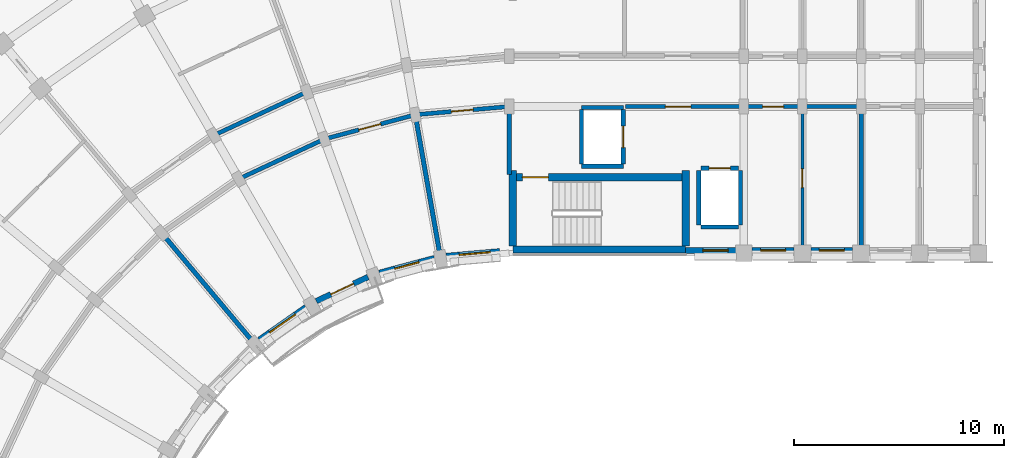
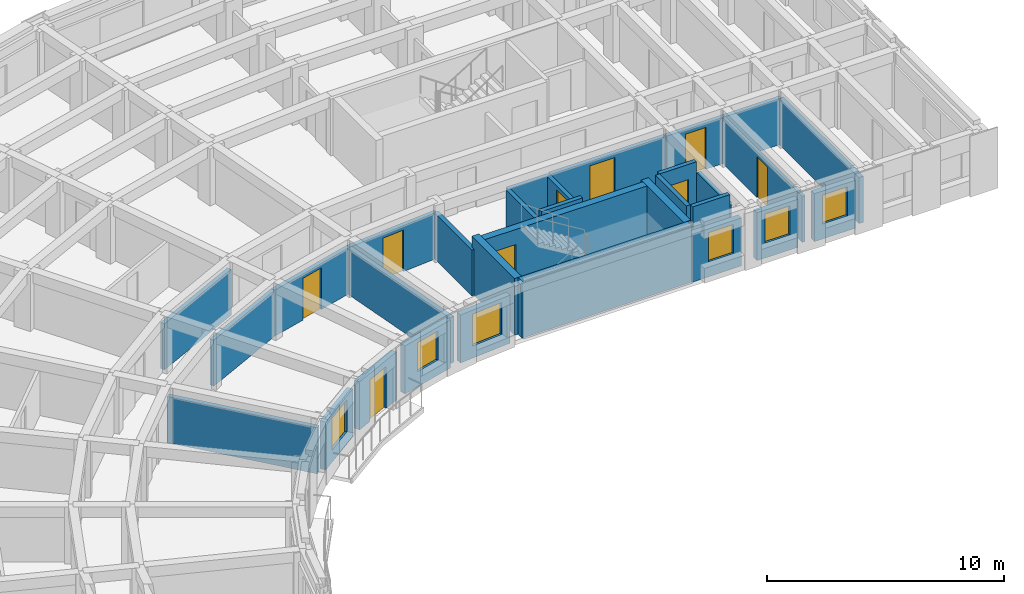
# One storey, part 25 of 54: 31 walls, 9 doors, 6 windows, 15 openings.
"""IFC4 building model written with IfcOpenShell, lengths in metres."""

from ifc_helpers import new_model, si_unit, direction, frame, frame_2d, origin, place, context, subcontext, project, spatial, rectangle, extrude, material, layer, layer_set, type_object, element, fill, save


model = new_model("IFC4")

# Units and contexts
model_context = context("Model", 3, precision=1e-05, world=origin(), true_north=direction((0.0, 1.0)))
body_context = subcontext(model_context, "Body", "Model", "MODEL_VIEW")
ifc_project = project(units=[si_unit("LENGTHUNIT", "METRE"), si_unit("AREAUNIT", "SQUARE_METRE"), si_unit("VOLUMEUNIT", "CUBIC_METRE"), si_unit("PLANEANGLEUNIT", "RADIAN"), si_unit("MASSUNIT", "GRAM", prefix="KILO")], contexts=[model_context])

# Site, building, storey
site_placement = place(None, origin())
site = spatial("IfcSite", under=ifc_project, at=site_placement, CompositionType="ELEMENT")
building_placement = place(site_placement, origin())
building = spatial("IfcBuilding", under=site, at=building_placement, Name="Kiranvali Square Residences", CompositionType="ELEMENT")
storey_placement = place(building_placement, frame((0.0, 0.0, 15.0)))
storey = spatial("IfcBuildingStorey", under=building, at=storey_placement, Name="L04", CompositionType="ELEMENT", Elevation=15.0)

# Wall, opening, door
ifc_material_1 = material(Name="Autoclaved aerated concrete blockwork masonry", Category="masonry")
ifc_layer_1 = layer(ifc_material_1, 0.199951171875)
ifc_layer_set_1 = layer_set([ifc_layer_1], Name="Autoclaved aerated concrete blockwork masonry")
wall_type_1 = type_object("IfcWallType", Name="WL-COR-200", PredefinedType="STANDARD", material=ifc_layer_set_1)
wall_1_placement = place(storey_placement, frame((53.75, 113.60009765625, 0.0), z_axis=(0.0, 0.0, 1.0), x_axis=(1.0, 0.0, 0.0)))
wall_1 = element("IfcWall", 1, at=wall_1_placement, inside=storey, type_object=wall_type_1, Name="L04 architectural wall WL-L04-A-LL-COR", PredefinedType="STANDARD", context=body_context, shape_type="SweptSolid", body=[
    extrude(rectangle(XDim=5.60009765625, YDim=0.199951171875, at=frame_2d((2.800048828125, 0.0))), origin(), (0.0, 0.0, 1.0), 2.3720703125),
])
opening_1_placement = place(wall_1_placement, frame((1.909912109375, 0.0, 0.0)))
opening_1 = element("IfcOpeningElement", 2, at=opening_1_placement, cuts=wall_1, Name="Opening FD-COR-60", PredefinedType="OPENING", context=body_context, shape_type="SweptSolid", body=[
    extrude(rectangle(XDim=1.219970703125, YDim=2.14990234375, at=frame_2d((0.60986328125, 1.074951171875))), frame((0.0, 0.10986328125, 0.0), z_axis=(0.0, -1.0, 0.0), x_axis=(1.0, 0.0, 0.0)), (0.0, 0.0, 1.0), 0.219970703125),
])
ifc_material_2 = material(Name="Fire-rated acoustic hardwood and mineral-core door assembly", Category="wood")
door_type_1 = type_object("IfcDoorType", Name="DR-FD60-1200", OperationType="NOTDEFINED", PredefinedType="DOOR", material=ifc_material_2)
door_1_placement = place(opening_1_placement, origin())
door_1 = element("IfcDoor", 3, at=door_1_placement, inside=storey, type_object=door_type_1, Name="L04 door DR-L04-0283 (DR-FD60-1200)", OperationType="SINGLE_SWING_LEFT", OverallHeight=2.14990234375, OverallWidth=1.219970703125, PredefinedType="DOOR", context=body_context, shape_type="SweptSolid", body=[
    extrude(rectangle(XDim=1.219970703125, YDim=2.14990234375, at=frame_2d((0.60986328125, 1.074951171875))), frame((0.0, 0.02490234375, 0.0), z_axis=(0.0, -1.0, 0.0), x_axis=(1.0, 0.0, 0.0)), (0.0, 0.0, 1.0), 0.050048828125),
])
fill(opening_1, door_1)

wall_2_placement = place(storey_placement, frame((59.39990234375, 113.60009765625, 0.0), z_axis=(0.0, 0.0, 1.0), x_axis=(1.0, 0.0, 0.0)))
wall_2 = element("IfcWall", 4, at=wall_2_placement, inside=storey, type_object=wall_type_1, Name="L04 architectural wall WL-L04-A-A1CI-0", PredefinedType="STANDARD", context=body_context, shape_type="SweptSolid", body=[
    extrude(rectangle(XDim=2.800048828125, YDim=0.199951171875, at=frame_2d((1.39990234375, 0.0))), origin(), (0.0, 0.0, 1.0), 2.3720703125),
])
opening_2_placement = place(wall_2_placement, frame((0.89990234375, 0.0, 0.0)))
opening_2 = element("IfcOpeningElement", 5, at=opening_2_placement, cuts=wall_2, Name="Opening FD-APT-60", PredefinedType="OPENING", context=body_context, shape_type="SweptSolid", body=[
    extrude(rectangle(XDim=1.0, YDim=2.14990234375, at=frame_2d((0.5, 1.074951171875))), frame((0.0, 0.10986328125, 0.0), z_axis=(0.0, -1.0, 0.0), x_axis=(1.0, 0.0, 0.0)), (0.0, 0.0, 1.0), 0.219970703125),
])
door_type_2 = type_object("IfcDoorType", Name="DR-APT-1000", OperationType="NOTDEFINED", PredefinedType="DOOR", material=ifc_material_2)
door_2_placement = place(opening_2_placement, origin())
door_2 = element("IfcDoor", 6, at=door_2_placement, inside=storey, type_object=door_type_2, Name="L04 door DR-L04-0287 (DR-APT-1000)", OperationType="SINGLE_SWING_LEFT", OverallHeight=2.14990234375, OverallWidth=1.0, PredefinedType="DOOR", context=body_context, shape_type="SweptSolid", body=[
    extrude(rectangle(XDim=1.0, YDim=2.14990234375, at=frame_2d((0.5, 1.074951171875))), frame((0.0, 0.02490234375, 0.0), z_axis=(0.0, -1.0, 0.0), x_axis=(1.0, 0.0, 0.0)), (0.0, 0.0, 1.0), 0.050048828125),
])
fill(opening_2, door_2)

# Wall
wall_3_placement = place(storey_placement, frame((62.199951171875, 113.60009765625, 0.0), z_axis=(0.0, 0.0, 1.0), x_axis=(1.0, 0.0, 0.0)))
element("IfcWall", 7, at=wall_3_placement, inside=storey, type_object=wall_type_1, Name="L04 architectural wall WL-L04-A-A1CI-1", PredefinedType="STANDARD", context=body_context, shape_type="SweptSolid", body=[
    extrude(rectangle(XDim=2.800048828125, YDim=0.199951171875, at=frame_2d((1.39990234375, 0.0))), origin(), (0.0, 0.0, 1.0), 2.3720703125),
])

# Wall, opening, door
wall_4_placement = place(storey_placement, frame((48.199951171875, 113.60009765625, 0.0), z_axis=(0.0, 0.0, 1.0), x_axis=(-0.996191949488, -0.087187153726, 0.0)))
wall_4 = element("IfcWall", 8, at=wall_4_placement, inside=storey, type_object=wall_type_1, Name="L04 architectural wall WL-L04-A-CCI-0", PredefinedType="STANDARD", context=body_context, shape_type="SweptSolid", body=[
    extrude(rectangle(XDim=4.4970703125, YDim=0.199951171875, at=frame_2d((2.24853515625, 0.0))), origin(), (0.0, 0.0, 1.0), 2.3720703125),
])
opening_3_placement = place(wall_4_placement, frame((1.728515625, 0.0, 0.0)))
opening_3 = element("IfcOpeningElement", 9, at=opening_3_placement, cuts=wall_4, Name="Opening FD-APT-60B", PredefinedType="OPENING", context=body_context, shape_type="SweptSolid", body=[
    extrude(rectangle(XDim=1.0400390625, YDim=2.14990234375, at=frame_2d((0.52001953125, 1.074951171875))), frame((0.0, 0.10986328125, 0.0), z_axis=(0.0, -1.0, 0.0), x_axis=(1.0, 0.0, 0.0)), (0.0, 0.0, 1.0), 0.219970703125),
])
door_type_3 = type_object("IfcDoorType", Name="DR-APT-1040", OperationType="NOTDEFINED", PredefinedType="DOOR", material=ifc_material_2)
door_3_placement = place(opening_3_placement, frame((1.0400390625, 0.0, 0.0), z_axis=(0.0, 0.0, 1.0), x_axis=(-1.0, 0.0, 0.0)))
door_3 = element("IfcDoor", 10, at=door_3_placement, inside=storey, type_object=door_type_3, Name="L04 door DR-L04-0316 (DR-APT-1040)", OperationType="SINGLE_SWING_RIGHT", OverallHeight=2.14990234375, OverallWidth=1.0400390625, PredefinedType="DOOR", context=body_context, shape_type="SweptSolid", body=[
    extrude(rectangle(XDim=1.0400390625, YDim=2.14990234375, at=frame_2d((0.52001953125, 1.074951171875))), frame((0.0, 0.02490234375, 0.0), z_axis=(0.0, -1.0, 0.0), x_axis=(1.0, 0.0, 0.0)), (0.0, 0.0, 1.0), 0.050048828125),
])
fill(opening_3, door_3)

wall_5_placement = place(storey_placement, frame((43.719970703125, 113.2080078125, 0.0), z_axis=(0.0, 0.0, 1.0), x_axis=(-0.965934240054, -0.258787642463, 0.0)))
wall_5 = element("IfcWall", 11, at=wall_5_placement, inside=storey, type_object=wall_type_1, Name="L04 architectural wall WL-L04-A-CCI-1", PredefinedType="STANDARD", context=body_context, shape_type="SweptSolid", body=[
    extrude(rectangle(XDim=4.497314453125, YDim=0.199951171875, at=frame_2d((2.24853515625, 0.0))), origin(), (0.0, 0.0, 1.0), 2.3720703125),
])
opening_4_placement = place(wall_5_placement, frame((1.708740234375, 0.0, 0.0)))
opening_4 = element("IfcOpeningElement", 12, at=opening_4_placement, cuts=wall_5, Name="Opening FD-APT-60C", PredefinedType="OPENING", context=body_context, shape_type="SweptSolid", body=[
    extrude(rectangle(XDim=1.080078125, YDim=2.14990234375, at=frame_2d((0.5400390625, 1.074951171875))), frame((0.0, 0.10986328125, 0.0), z_axis=(0.0, -1.0, 0.0), x_axis=(1.0, 0.0, 0.0)), (0.0, 0.0, 1.0), 0.219970703125),
])
door_type_4 = type_object("IfcDoorType", Name="DR-APT-1080", OperationType="NOTDEFINED", PredefinedType="DOOR", material=ifc_material_2)
door_4_placement = place(opening_4_placement, origin())
door_4 = element("IfcDoor", 13, at=door_4_placement, inside=storey, type_object=door_type_4, Name="L04 door DR-L04-0317 (DR-APT-1080)", OperationType="SINGLE_SWING_LEFT", OverallHeight=2.14990234375, OverallWidth=1.080078125, PredefinedType="DOOR", context=body_context, shape_type="SweptSolid", body=[
    extrude(rectangle(XDim=1.080078125, YDim=2.14990234375, at=frame_2d((0.5400390625, 1.074951171875))), frame((0.0, 0.02490234375, 0.0), z_axis=(0.0, -1.0, 0.0), x_axis=(1.0, 0.0, 0.0)), (0.0, 0.0, 1.0), 0.050048828125),
])
fill(opening_4, door_4)

# Walls
wall_6_placement = place(storey_placement, frame((39.3759765625, 112.044189453125, 0.0), z_axis=(0.0, 0.0, 1.0), x_axis=(-0.906307919131, -0.422617978463, 0.0)))
element("IfcWall", 14, at=wall_6_placement, inside=storey, type_object=wall_type_1, Name="L04 architectural wall WL-L04-A-CCI-2", PredefinedType="STANDARD", context=body_context, shape_type="SweptSolid", body=[
    extrude(rectangle(XDim=4.497314453125, YDim=0.199951171875, at=frame_2d((2.24853515625, 0.0))), origin(), (0.0, 0.0, 1.0), 2.3720703125),
])
wall_7_placement = place(storey_placement, frame((38.554931640625, 114.29931640625, 0.0), z_axis=(0.0, 0.0, 1.0), x_axis=(-0.906302381024, -0.422629854778, 0.0)))
element("IfcWall", 15, at=wall_7_placement, inside=storey, type_object=wall_type_1, Name="L04 architectural wall WL-L04-A-CCO-2", PredefinedType="STANDARD", context=body_context, shape_type="SweptSolid", body=[
    extrude(rectangle(XDim=4.915283203125, YDim=0.199951171875, at=frame_2d((2.45751953125, 0.0))), origin(), (0.0, 0.0, 1.0), 2.3720703125),
])
ifc_layer_2 = layer(ifc_material_1, 0.219970703125)
ifc_layer_set_2 = layer_set([ifc_layer_2], Name="Autoclaved aerated concrete blockwork masonry")
wall_type_2 = type_object("IfcWallType", Name="WL-DEM-220", PredefinedType="STANDARD", material=ifc_layer_set_2)
wall_8_placement = place(storey_placement, frame((65.0, 106.800048828125, 0.0), z_axis=(0.0, 0.0, 1.0), x_axis=(0.0, 1.0, 0.0)))
element("IfcWall", 16, at=wall_8_placement, inside=storey, type_object=wall_type_2, Name="L04 architectural wall WL-L04-A-A1TI-2", PredefinedType="STANDARD", context=body_context, shape_type="SweptSolid", body=[
    extrude(rectangle(XDim=6.75, YDim=0.219970703125, at=frame_2d((3.375, 0.0))), origin(), (0.0, 0.0, 1.0), 2.3720703125),
])
wall_9_placement = place(storey_placement, frame((48.199951171875, 110.35009765625, 0.0), z_axis=(0.0, 0.0, 1.0), x_axis=(0.0, 1.0, 0.0)))
element("IfcWall", 17, at=wall_9_placement, inside=storey, type_object=wall_type_2, Name="L04 architectural wall WL-L04-A-RADI-0", PredefinedType="STANDARD", context=body_context, shape_type="SweptSolid", body=[
    extrude(rectangle(XDim=3.199951171875, YDim=0.219970703125, at=frame_2d((1.60009765625, 0.0))), origin(), (0.0, 0.0, 1.0), 2.3720703125),
])
for number, where, z_axis, x_axis, name in (
    (18, (44.900634765625, 106.51123046875, 0.0), (0.0, 0.0, 1.0), (-0.173647089161, 0.984807944945, 0.0), "L04 architectural wall WL-L04-A-RADI-1"),
    (19, (35.987060546875, 102.354736328125, 0.0), (0.0, 0.0, 1.0), (-0.642784846501, 0.766046761698, 0.0), "L04 architectural wall WL-L04-A-RADI-4"),
):
    element("IfcWall", number, at=place(storey_placement, frame(where, z_axis=z_axis, x_axis=x_axis)), inside=storey, type_object=wall_type_2, Name=name, PredefinedType="STANDARD", context=body_context, shape_type="SweptSolid", body=[
        extrude(rectangle(XDim=6.75, YDim=0.219970703125, at=frame_2d((3.375, 0.0))), origin(), (0.0, 0.0, 1.0), 2.3720703125),
    ])

# Wall, opening, window
ifc_material_3 = material(Name="Breathable lime-rendered clay brick masonry", Category="masonry")
ifc_layer_3 = layer(ifc_material_3, 0.27490234375)
ifc_layer_set_3 = layer_set([ifc_layer_3], Name="Breathable lime-rendered clay brick masonry")
wall_type_3 = type_object("IfcWallType", Name="WL-EXT-275", PredefinedType="STANDARD", material=ifc_layer_set_3)
wall_10_placement = place(storey_placement, frame((47.750732421875, 106.686279296875, 0.0), z_axis=(0.0, 0.0, 1.0), x_axis=(-0.996194235595, -0.08716102895, 0.0)))
wall_10 = element("IfcWall", 20, at=wall_10_placement, inside=storey, type_object=wall_type_3, Name="L04 exterior wall A-L04-GDN-00", PredefinedType="STANDARD", context=body_context, shape_type="SweptSolid", body=[
    extrude(rectangle(XDim=2.557373046875, YDim=0.27490234375, at=frame_2d((1.27880859375, 0.0))), origin(), (0.0, 0.0, 1.0), 2.471923828125),
])
opening_5_placement = place(wall_10_placement, frame((0.448486328125, 0.0, 0.6220703125)))
opening_5 = element("IfcOpeningElement", 21, at=opening_5_placement, cuts=wall_10, Name="Opening W-05", PredefinedType="OPENING", context=body_context, shape_type="SweptSolid", body=[
    extrude(rectangle(XDim=1.5, YDim=1.64990234375, at=frame_2d((0.75, 0.824951171875))), frame((0.0, 0.1474609375, 0.0), z_axis=(0.0, -1.0, 0.0), x_axis=(1.0, 0.0, 0.0)), (0.0, 0.0, 1.0), 0.294921875),
])
ifc_material_4 = material(Name="Solar-control low-e double glazing", Category="glass")
window_type_1 = type_object("IfcWindowType", Name="WIN-RES-1500x1650", PartitioningType="DOUBLE_PANEL_VERTICAL", PredefinedType="WINDOW", material=ifc_material_4)
window_1_placement = place(opening_5_placement, origin())
window_1 = element("IfcWindow", 22, at=window_1_placement, inside=storey, type_object=window_type_1, Name="L04 recessed window A-L04-GDN-00", OverallHeight=1.64990234375, OverallWidth=1.5, PartitioningType="DOUBLE_PANEL_VERTICAL", PredefinedType="WINDOW", context=body_context, shape_type="SweptSolid", body=[
    extrude(rectangle(XDim=1.5, YDim=1.64990234375, at=frame_2d((0.75, 0.824951171875))), frame((0.0, 0.030029296875, 0.0), z_axis=(0.0, -1.0, 0.0), x_axis=(1.0, 0.0, 0.0)), (0.0, 0.0, 1.0), 0.06005859375),
])
fill(opening_5, window_1)

wall_11_placement = place(storey_placement, frame((44.6328125, 106.36279296875, 0.0), z_axis=(0.0, 0.0, 1.0), x_axis=(-0.965925595341, -0.258819907011, 0.0)))
wall_11 = element("IfcWall", 23, at=wall_11_placement, inside=storey, type_object=wall_type_3, Name="L04 exterior wall A-L04-GDN-01", PredefinedType="STANDARD", context=body_context, shape_type="SweptSolid", body=[
    extrude(rectangle(XDim=2.717529296875, YDim=0.27490234375, at=frame_2d((1.35888671875, 0.0))), origin(), (0.0, 0.0, 1.0), 2.471923828125),
])
opening_6_placement = place(wall_11_placement, frame((0.7587890625, 0.0, 0.77197265625)))
opening_6 = element("IfcOpeningElement", 24, at=opening_6_placement, cuts=wall_11, Name="Opening W-06", PredefinedType="OPENING", context=body_context, shape_type="SweptSolid", body=[
    extrude(rectangle(XDim=1.199951171875, YDim=1.5, at=frame_2d((0.60009765625, 0.75))), frame((0.0, 0.1474609375, 0.0), z_axis=(0.0, -1.0, 0.0), x_axis=(1.0, 0.0, 0.0)), (0.0, 0.0, 1.0), 0.294921875),
])
window_type_2 = type_object("IfcWindowType", Name="WIN-RES-1200x1500", PartitioningType="SINGLE_PANEL", PredefinedType="WINDOW", material=ifc_material_4)
window_2_placement = place(opening_6_placement, origin())
window_2 = element("IfcWindow", 25, at=window_2_placement, inside=storey, type_object=window_type_2, Name="L04 recessed window A-L04-GDN-01", OverallHeight=1.5, OverallWidth=1.199951171875, PartitioningType="SINGLE_PANEL", PredefinedType="WINDOW", context=body_context, shape_type="SweptSolid", body=[
    extrude(rectangle(XDim=1.199951171875, YDim=1.5, at=frame_2d((0.60009765625, 0.75))), frame((0.0, 0.030029296875, 0.0), z_axis=(0.0, -1.0, 0.0), x_axis=(1.0, 0.0, 0.0)), (0.0, 0.0, 1.0), 0.06005859375),
])
fill(opening_6, window_2)

# Wall, opening, door
wall_12_placement = place(storey_placement, frame((41.463623046875, 105.461181640625, 0.0), z_axis=(0.0, 0.0, 1.0), x_axis=(-0.906311629168, -0.422610022166, 0.0)))
wall_12 = element("IfcWall", 26, at=wall_12_placement, inside=storey, type_object=wall_type_3, Name="L04 exterior wall A-L04-GDN-02", PredefinedType="STANDARD", context=body_context, shape_type="SweptSolid", body=[
    extrude(rectangle(XDim=2.717529296875, YDim=0.27490234375, at=frame_2d((1.35888671875, 0.0))), origin(), (0.0, 0.0, 1.0), 2.471923828125),
])
opening_7_placement = place(wall_12_placement, frame((0.7587890625, 0.0, 0.0)))
opening_7 = element("IfcOpeningElement", 27, at=opening_7_placement, cuts=wall_12, Name="Opening ED-BAL-1", PredefinedType="OPENING", context=body_context, shape_type="SweptSolid", body=[
    extrude(rectangle(XDim=1.199951171875, YDim=2.14990234375, at=frame_2d((0.60009765625, 1.074951171875))), frame((0.0, 0.1474609375, 0.0), z_axis=(0.0, -1.0, 0.0), x_axis=(1.0, 0.0, 0.0)), (0.0, 0.0, 1.0), 0.294921875),
])
ifc_material_5 = material(Name="Anodised bronze aluminium framing", Category="aluminium")
door_type_5 = type_object("IfcDoorType", Name="DR-BAL-1200", OperationType="NOTDEFINED", PredefinedType="DOOR", material=ifc_material_5)
door_5_placement = place(opening_7_placement, origin())
door_5 = element("IfcDoor", 28, at=door_5_placement, inside=storey, type_object=door_type_5, Name="L04 balcony terrace door", OperationType="SINGLE_SWING_RIGHT", OverallHeight=2.14990234375, OverallWidth=1.199951171875, PredefinedType="DOOR", context=body_context, shape_type="SweptSolid", body=[
    extrude(rectangle(XDim=1.199951171875, YDim=2.14990234375, at=frame_2d((0.60009765625, 1.074951171875))), frame((0.0, 0.02490234375, 0.0), z_axis=(0.0, -1.0, 0.0), x_axis=(1.0, 0.0, 0.0)), (0.0, 0.0, 1.0), 0.050048828125),
])
fill(opening_7, door_5)

# Wall, opening, window
wall_13_placement = place(storey_placement, frame((38.4990234375, 104.023193359375, 0.0), z_axis=(0.0, 0.0, 1.0), x_axis=(-0.81917282593, -0.573546755948, 0.0)))
wall_13 = element("IfcWall", 29, at=wall_13_placement, inside=storey, type_object=wall_type_3, Name="L04 exterior wall A-L04-GDN-03", PredefinedType="STANDARD", context=body_context, shape_type="SweptSolid", body=[
    extrude(rectangle(XDim=2.717529296875, YDim=0.27490234375, at=frame_2d((1.35888671875, 0.0))), origin(), (0.0, 0.0, 1.0), 2.471923828125),
])
opening_8_placement = place(wall_13_placement, frame((0.608642578125, 0.0, 0.6220703125)))
opening_8 = element("IfcOpeningElement", 30, at=opening_8_placement, cuts=wall_13, Name="Opening W-05", PredefinedType="OPENING", context=body_context, shape_type="SweptSolid", body=[
    extrude(rectangle(XDim=1.5, YDim=1.64990234375, at=frame_2d((0.75, 0.824951171875))), frame((0.0, 0.1474609375, 0.0), z_axis=(0.0, -1.0, 0.0), x_axis=(1.0, 0.0, 0.0)), (0.0, 0.0, 1.0), 0.294921875),
])
window_3_placement = place(opening_8_placement, origin())
window_3 = element("IfcWindow", 31, at=window_3_placement, inside=storey, type_object=window_type_1, Name="L04 recessed window A-L04-GDN-03", OverallHeight=1.64990234375, OverallWidth=1.5, PartitioningType="DOUBLE_PANEL_VERTICAL", PredefinedType="WINDOW", context=body_context, shape_type="SweptSolid", body=[
    extrude(rectangle(XDim=1.5, YDim=1.64990234375, at=frame_2d((0.75, 0.824951171875))), frame((0.0, 0.030029296875, 0.0), z_axis=(0.0, -1.0, 0.0), x_axis=(1.0, 0.0, 0.0)), (0.0, 0.0, 1.0), 0.06005859375),
])
fill(opening_8, window_3)

wall_14_placement = place(storey_placement, frame((56.62841796875, 106.72509765625, 0.0), z_axis=(0.0, 0.0, 1.0), x_axis=(1.0, 0.0, 0.0)))
wall_14 = element("IfcWall", 32, at=wall_14_placement, inside=storey, type_object=wall_type_3, Name="L04 exterior wall A-L04-A1IN-0", PredefinedType="STANDARD", context=body_context, shape_type="SweptSolid", body=[
    extrude(rectangle(XDim=2.421630859375, YDim=0.27490234375, at=frame_2d((1.2109375, 0.0))), origin(), (0.0, 0.0, 1.0), 2.471923828125),
])
opening_9_placement = place(wall_14_placement, frame((0.821533203125, 0.0, 0.77197265625)))
opening_9 = element("IfcOpeningElement", 33, at=opening_9_placement, cuts=wall_14, Name="Opening W-06", PredefinedType="OPENING", context=body_context, shape_type="SweptSolid", body=[
    extrude(rectangle(XDim=1.199951171875, YDim=1.5, at=frame_2d((0.60009765625, 0.75))), frame((0.0, 0.1474609375, 0.0), z_axis=(0.0, -1.0, 0.0), x_axis=(1.0, 0.0, 0.0)), (0.0, 0.0, 1.0), 0.294921875),
])
window_4_placement = place(opening_9_placement, origin())
window_4 = element("IfcWindow", 34, at=window_4_placement, inside=storey, type_object=window_type_2, Name="L04 recessed window A-L04-A1IN-0", OverallHeight=1.5, OverallWidth=1.199951171875, PartitioningType="SINGLE_PANEL", PredefinedType="WINDOW", context=body_context, shape_type="SweptSolid", body=[
    extrude(rectangle(XDim=1.199951171875, YDim=1.5, at=frame_2d((0.60009765625, 0.75))), frame((0.0, 0.030029296875, 0.0), z_axis=(0.0, -1.0, 0.0), x_axis=(1.0, 0.0, 0.0)), (0.0, 0.0, 1.0), 0.06005859375),
])
fill(opening_9, window_4)

wall_15_placement = place(storey_placement, frame((59.803466796875, 106.72509765625, 0.0), z_axis=(0.0, 0.0, 1.0), x_axis=(1.0, 0.0, 0.0)))
wall_15 = element("IfcWall", 35, at=wall_15_placement, inside=storey, type_object=wall_type_3, Name="L04 exterior wall A-L04-A1I-0", PredefinedType="STANDARD", context=body_context, shape_type="SweptSolid", body=[
    extrude(rectangle(XDim=1.992919921875, YDim=0.27490234375, at=frame_2d((0.99658203125, 0.0))), origin(), (0.0, 0.0, 1.0), 2.471923828125),
])
opening_10_placement = place(wall_15_placement, frame((0.396484375, 0.0, 0.77197265625)))
opening_10 = element("IfcOpeningElement", 36, at=opening_10_placement, cuts=wall_15, Name="Opening W-06", PredefinedType="OPENING", context=body_context, shape_type="SweptSolid", body=[
    extrude(rectangle(XDim=1.199951171875, YDim=1.5, at=frame_2d((0.60009765625, 0.75))), frame((0.0, 0.1474609375, 0.0), z_axis=(0.0, -1.0, 0.0), x_axis=(1.0, 0.0, 0.0)), (0.0, 0.0, 1.0), 0.294921875),
])
window_5_placement = place(opening_10_placement, origin())
window_5 = element("IfcWindow", 37, at=window_5_placement, inside=storey, type_object=window_type_2, Name="L04 recessed window A-L04-A1I-0", OverallHeight=1.5, OverallWidth=1.199951171875, PartitioningType="SINGLE_PANEL", PredefinedType="WINDOW", context=body_context, shape_type="SweptSolid", body=[
    extrude(rectangle(XDim=1.199951171875, YDim=1.5, at=frame_2d((0.60009765625, 0.75))), frame((0.0, 0.030029296875, 0.0), z_axis=(0.0, -1.0, 0.0), x_axis=(1.0, 0.0, 0.0)), (0.0, 0.0, 1.0), 0.06005859375),
])
fill(opening_10, window_5)

wall_16_placement = place(storey_placement, frame((62.603515625, 106.72509765625, 0.0), z_axis=(0.0, 0.0, 1.0), x_axis=(1.0, 0.0, 0.0)))
wall_16 = element("IfcWall", 38, at=wall_16_placement, inside=storey, type_object=wall_type_3, Name="L04 exterior wall A-L04-A1I-1", PredefinedType="STANDARD", context=body_context, shape_type="SweptSolid", body=[
    extrude(rectangle(XDim=1.992919921875, YDim=0.27490234375, at=frame_2d((0.99658203125, 0.0))), origin(), (0.0, 0.0, 1.0), 2.471923828125),
])
opening_11_placement = place(wall_16_placement, frame((0.396484375, 0.0, 0.77197265625)))
opening_11 = element("IfcOpeningElement", 39, at=opening_11_placement, cuts=wall_16, Name="Opening W-06", PredefinedType="OPENING", context=body_context, shape_type="SweptSolid", body=[
    extrude(rectangle(XDim=1.199951171875, YDim=1.5, at=frame_2d((0.60009765625, 0.75))), frame((0.0, 0.1474609375, 0.0), z_axis=(0.0, -1.0, 0.0), x_axis=(1.0, 0.0, 0.0)), (0.0, 0.0, 1.0), 0.294921875),
])
window_6_placement = place(opening_11_placement, origin())
window_6 = element("IfcWindow", 40, at=window_6_placement, inside=storey, type_object=window_type_2, Name="L04 recessed window A-L04-A1I-1", OverallHeight=1.5, OverallWidth=1.199951171875, PartitioningType="SINGLE_PANEL", PredefinedType="WINDOW", context=body_context, shape_type="SweptSolid", body=[
    extrude(rectangle(XDim=1.199951171875, YDim=1.5, at=frame_2d((0.60009765625, 0.75))), frame((0.0, 0.030029296875, 0.0), z_axis=(0.0, -1.0, 0.0), x_axis=(1.0, 0.0, 0.0)), (0.0, 0.0, 1.0), 0.06005859375),
])
fill(opening_11, window_6)

# Wall, opening, door
ifc_material_6 = material(Name="Acoustic gypsum board drylined partition", Category="gypsum")
ifc_layer_4 = layer(ifc_material_6, 0.14990234375)
ifc_layer_set_4 = layer_set([ifc_layer_4], Name="Acoustic gypsum board drylined partition")
wall_type_4 = type_object("IfcWallType", Name="WL-PRT-150", PredefinedType="PARTITIONING", material=ifc_layer_set_4)
wall_17_placement = place(storey_placement, frame((62.199951171875, 106.800048828125, 0.0), z_axis=(0.0, 0.0, 1.0), x_axis=(0.0, 1.0, 0.0)))
wall_17 = element("IfcWall", 41, at=wall_17_placement, inside=storey, type_object=wall_type_4, Name="L04 architectural wall WL-L04-A-A1TI-1", PredefinedType="PARTITIONING", context=body_context, shape_type="SweptSolid", body=[
    extrude(rectangle(XDim=6.75, YDim=0.14990234375, at=frame_2d((3.375, 0.0))), origin(), (0.0, 0.0, 1.0), 2.3720703125),
])
opening_12_placement = place(wall_17_placement, frame((2.925048828125, 0.0, 0.0)))
opening_12 = element("IfcOpeningElement", 42, at=opening_12_placement, cuts=wall_17, Name="Opening ID-1", PredefinedType="OPENING", context=body_context, shape_type="SweptSolid", body=[
    extrude(rectangle(XDim=0.89990234375, YDim=2.10009765625, at=frame_2d((0.449951171875, 1.050048828125))), frame((0.0, 0.0849609375, 0.0), z_axis=(0.0, -1.0, 0.0), x_axis=(1.0, 0.0, 0.0)), (0.0, 0.0, 1.0), 0.169921875),
])
ifc_material_7 = material(Name="Solid seasoned teak hardwood joinery", Category="wood")
door_type_6 = type_object("IfcDoorType", Name="DR-INT-900", OperationType="NOTDEFINED", PredefinedType="DOOR", material=ifc_material_7)
door_6_placement = place(opening_12_placement, frame((0.89990234375, 0.0, 0.0), z_axis=(0.0, 0.0, 1.0), x_axis=(-1.0, 0.0, 0.0)))
door_6 = element("IfcDoor", 43, at=door_6_placement, inside=storey, type_object=door_type_6, Name="L04 door DR-L04-0296 (DR-INT-900)", OperationType="SINGLE_SWING_RIGHT", OverallHeight=2.10009765625, OverallWidth=0.89990234375, PredefinedType="DOOR", context=body_context, shape_type="SweptSolid", body=[
    extrude(rectangle(XDim=0.89990234375, YDim=2.10009765625, at=frame_2d((0.449951171875, 1.050048828125))), frame((0.0, 0.02490234375, 0.0), z_axis=(0.0, -1.0, 0.0), x_axis=(1.0, 0.0, 0.0)), (0.0, 0.0, 1.0), 0.050048828125),
])
fill(opening_12, door_6)

# Walls
ifc_layer_5 = layer(ifc_material_1, 0.199951171875)
ifc_layer_set_5 = layer_set([ifc_layer_5], Name="Autoclaved aerated concrete blockwork masonry")
wall_type_5 = type_object("IfcWallType", Name="WL-SHF-200", PredefinedType="STANDARD", material=ifc_layer_set_5)
wall_18_placement = place(storey_placement, frame((57.25, 107.949951171875, 0.0), z_axis=(0.0, 0.0, 1.0), x_axis=(0.0, 1.0, 0.0)))
element("IfcWall", 44, at=wall_18_placement, inside=storey, type_object=wall_type_5, Name="L04 architectural wall WL-L04-A-LP1-S1", PredefinedType="STANDARD", context=body_context, shape_type="SweptSolid", body=[
    extrude(rectangle(XDim=2.60009765625, YDim=0.199951171875, at=frame_2d((1.300048828125, 0.0))), origin(), (0.0, 0.0, 1.0), 2.929931640625),
])
wall_19_placement = place(storey_placement, frame((59.25, 107.949951171875, 0.0), z_axis=(0.0, 0.0, 1.0), x_axis=(0.0, 1.0, 0.0)))
element("IfcWall", 45, at=wall_19_placement, inside=storey, type_object=wall_type_5, Name="L04 architectural wall WL-L04-A-LP1-B", PredefinedType="STANDARD", context=body_context, shape_type="SweptSolid", body=[
    extrude(rectangle(XDim=2.60009765625, YDim=0.199951171875, at=frame_2d((1.300048828125, 0.0))), origin(), (0.0, 0.0, 1.0), 2.3720703125),
])
wall_20_placement = place(storey_placement, frame((57.35009765625, 107.85009765625, 0.0), z_axis=(0.0, 0.0, 1.0), x_axis=(1.0, 0.0, 0.0)))
element("IfcWall", 46, at=wall_20_placement, inside=storey, type_object=wall_type_5, Name="L04 architectural wall WL-L04-A-LP1-S2", PredefinedType="STANDARD", context=body_context, shape_type="SweptSolid", body=[
    extrude(rectangle(XDim=1.7998046875, YDim=0.199951171875, at=frame_2d((0.89990234375, 0.0))), origin(), (0.0, 0.0, 1.0), 2.929931640625),
])

# Wall, opening, door
wall_21_placement = place(storey_placement, frame((57.35009765625, 110.64990234375, 0.0), z_axis=(0.0, 0.0, 1.0), x_axis=(1.0, 0.0, 0.0)))
wall_21 = element("IfcWall", 47, at=wall_21_placement, inside=storey, type_object=wall_type_5, Name="L04 architectural wall WL-L04-A-LP1-F", PredefinedType="STANDARD", context=body_context, shape_type="SweptSolid", body=[
    extrude(rectangle(XDim=1.7998046875, YDim=0.199951171875, at=frame_2d((0.89990234375, 0.0))), origin(), (0.0, 0.0, 1.0), 2.929931640625),
])
opening_13_placement = place(wall_21_placement, frame((0.389892578125, 0.0, 0.0)))
opening_13 = element("IfcOpeningElement", 48, at=opening_13_placement, cuts=wall_21, Name="Opening LD-PAX-100", PredefinedType="OPENING", context=body_context, shape_type="SweptSolid", body=[
    extrude(rectangle(XDim=1.02001953125, YDim=2.14990234375, at=frame_2d((0.510009765625, 1.074951171875))), frame((0.0, 0.10986328125, 0.0), z_axis=(0.0, -1.0, 0.0), x_axis=(1.0, 0.0, 0.0)), (0.0, 0.0, 1.0), 0.219970703125),
])
door_type_7 = type_object("IfcDoorType", Name="DR-LIFT-1000", OperationType="SLIDING_TO_RIGHT", PredefinedType="DOOR", material=ifc_material_2)
door_7_placement = place(opening_13_placement, origin())
door_7 = element("IfcDoor", 49, at=door_7_placement, inside=storey, type_object=door_type_7, Name="L04 door DR-L04-0281 (DR-LIFT-1000)", OperationType="SLIDING_TO_RIGHT", OverallHeight=2.14990234375, OverallWidth=1.02001953125, PredefinedType="DOOR", context=body_context, shape_type="SweptSolid", body=[
    extrude(rectangle(XDim=1.02001953125, YDim=2.14990234375, at=frame_2d((0.510009765625, 1.074951171875))), frame((0.0, 0.02490234375, 0.0), z_axis=(0.0, -1.0, 0.0), x_axis=(1.0, 0.0, 0.0)), (0.0, 0.0, 1.0), 0.050048828125),
])
fill(opening_13, door_7)

# Walls
wall_22_placement = place(storey_placement, frame((51.64990234375, 110.75, 0.0), z_axis=(0.0, 0.0, 1.0), x_axis=(1.0, 0.0, 0.0)))
element("IfcWall", 50, at=wall_22_placement, inside=storey, type_object=wall_type_5, Name="L04 architectural wall WL-L04-A-LP2-S0", PredefinedType="STANDARD", context=body_context, shape_type="SweptSolid", body=[
    extrude(rectangle(XDim=2.0, YDim=0.199951171875, at=frame_2d((1.0, 0.0))), origin(), (0.0, 0.0, 1.0), 2.929931640625),
])
wall_23_placement = place(storey_placement, frame((51.64990234375, 113.550048828125, 0.0), z_axis=(0.0, 0.0, 1.0), x_axis=(1.0, 0.0, 0.0)))
element("IfcWall", 51, at=wall_23_placement, inside=storey, type_object=wall_type_5, Name="L04 architectural wall WL-L04-A-LP2-B", PredefinedType="STANDARD", context=body_context, shape_type="SweptSolid", body=[
    extrude(rectangle(XDim=2.0, YDim=0.199951171875, at=frame_2d((1.0, 0.0))), origin(), (0.0, 0.0, 1.0), 2.3720703125),
])
wall_24_placement = place(storey_placement, frame((51.64990234375, 110.85009765625, 0.0), z_axis=(0.0, 0.0, 1.0), x_axis=(0.0, 1.0, 0.0)))
element("IfcWall", 52, at=wall_24_placement, inside=storey, type_object=wall_type_5, Name="L04 architectural wall WL-L04-A-LP2-S1", PredefinedType="STANDARD", context=body_context, shape_type="SweptSolid", body=[
    extrude(rectangle(XDim=2.599853515625, YDim=0.199951171875, at=frame_2d((1.2998046875, 0.0))), origin(), (0.0, 0.0, 1.0), 2.3720703125),
])

# Wall, opening, door
wall_25_placement = place(storey_placement, frame((53.64990234375, 110.85009765625, 0.0), z_axis=(0.0, 0.0, 1.0), x_axis=(0.0, 1.0, 0.0)))
wall_25 = element("IfcWall", 53, at=wall_25_placement, inside=storey, type_object=wall_type_5, Name="L04 architectural wall WL-L04-A-LP2-F", PredefinedType="STANDARD", context=body_context, shape_type="SweptSolid", body=[
    extrude(rectangle(XDim=2.599853515625, YDim=0.199951171875, at=frame_2d((1.2998046875, 0.0))), origin(), (0.0, 0.0, 1.0), 2.3720703125),
])
opening_14_placement = place(wall_25_placement, frame((0.7900390625, 0.0, 0.0)))
opening_14 = element("IfcOpeningElement", 54, at=opening_14_placement, cuts=wall_25, Name="Opening LD-PAX-100", PredefinedType="OPENING", context=body_context, shape_type="SweptSolid", body=[
    extrude(rectangle(XDim=1.02001953125, YDim=2.14990234375, at=frame_2d((0.510009765625, 1.074951171875))), frame((0.0, 0.10986328125, 0.0), z_axis=(0.0, -1.0, 0.0), x_axis=(1.0, 0.0, 0.0)), (0.0, 0.0, 1.0), 0.219970703125),
])
door_8_placement = place(opening_14_placement, origin())
door_8 = element("IfcDoor", 55, at=door_8_placement, inside=storey, type_object=door_type_7, Name="L04 door DR-L04-0282 (DR-LIFT-1000)", OperationType="SLIDING_TO_RIGHT", OverallHeight=2.14990234375, OverallWidth=1.02001953125, PredefinedType="DOOR", context=body_context, shape_type="SweptSolid", body=[
    extrude(rectangle(XDim=1.02001953125, YDim=2.14990234375, at=frame_2d((0.510009765625, 1.074951171875))), frame((0.0, 0.02490234375, 0.0), z_axis=(0.0, -1.0, 0.0), x_axis=(1.0, 0.0, 0.0)), (0.0, 0.0, 1.0), 0.050048828125),
])
fill(opening_14, door_8)

# Wall
ifc_material_8 = material(Name="Concrete M50 (50 MPa)", Category="concrete")
ifc_layer_6 = layer(ifc_material_8, 0.35009765625)
ifc_layer_set_6 = layer_set([ifc_layer_6], Name="Concrete M50 (50 MPa)")
wall_type_6 = type_object("IfcWallType", Name="WL-SHR-350", PredefinedType="SHEAR", material=ifc_layer_set_6)
wall_26_placement = place(storey_placement, frame((48.375, 106.77490234375, 0.0), z_axis=(0.0, 0.0, 1.0), x_axis=(1.0, 0.0, 0.0)))
element("IfcWall", 56, at=wall_26_placement, inside=storey, type_object=wall_type_6, Name="Block A core shear wall SW-A2-OUT-L04", PredefinedType="SHEAR", context=body_context, shape_type="SweptSolid", body=[
    extrude(rectangle(XDim=8.25, YDim=0.35009765625, at=frame_2d((4.125, 0.0))), origin(), (0.0, 0.0, 1.0), 2.929931640625),
])

# Wall, opening, door
wall_27_placement = place(storey_placement, frame((48.550048828125, 110.22509765625, 0.0), z_axis=(0.0, 0.0, 1.0), x_axis=(1.0, 0.0, 0.0)))
wall_27 = element("IfcWall", 57, at=wall_27_placement, inside=storey, type_object=wall_type_6, Name="Block A core shear wall SW-A2-IN-L04", PredefinedType="SHEAR", context=body_context, shape_type="SweptSolid", body=[
    extrude(rectangle(XDim=7.89990234375, YDim=0.35009765625, at=frame_2d((3.949951171875, 0.0))), origin(), (0.0, 0.0, 1.0), 2.929931640625),
])
opening_15_placement = place(wall_27_placement, frame((0.280029296875, 0.0, 0.0)))
opening_15 = element("IfcOpeningElement", 58, at=opening_15_placement, cuts=wall_27, Name="Opening FD-ST-120", PredefinedType="OPENING", context=body_context, shape_type="SweptSolid", body=[
    extrude(rectangle(XDim=1.239990234375, YDim=2.14990234375, at=frame_2d((0.6201171875, 1.074951171875))), frame((0.0, 0.18505859375, 0.0), z_axis=(0.0, -1.0, 0.0), x_axis=(1.0, 0.0, 0.0)), (0.0, 0.0, 1.0), 0.3701171875),
])
door_type_8 = type_object("IfcDoorType", Name="DR-FD120-1200", OperationType="NOTDEFINED", PredefinedType="DOOR", material=ifc_material_2)
door_9_placement = place(opening_15_placement, frame((1.239990234375, 0.0, 0.0), z_axis=(0.0, 0.0, 1.0), x_axis=(-1.0, 0.0, 0.0)))
door_9 = element("IfcDoor", 59, at=door_9_placement, inside=storey, type_object=door_type_8, Name="L04 door DR-L04-0279 (DR-FD120-1200)", OperationType="SINGLE_SWING_LEFT", OverallHeight=2.14990234375, OverallWidth=1.239990234375, PredefinedType="DOOR", context=body_context, shape_type="SweptSolid", body=[
    extrude(rectangle(XDim=1.239990234375, YDim=2.14990234375, at=frame_2d((0.6201171875, 1.074951171875))), frame((0.0, 0.02490234375, 0.0), z_axis=(0.0, -1.0, 0.0), x_axis=(1.0, 0.0, 0.0)), (0.0, 0.0, 1.0), 0.050048828125),
])
fill(opening_15, door_9)

# Walls
for number, where, z_axis, x_axis, name in (
    (60, (48.375, 106.949951171875, 0.0), (0.0, 0.0, 1.0), (0.0, 1.0, 0.0), "Block A core shear wall SW-A2-NEAR-L04"),
    (61, (56.625, 106.949951171875, 0.0), (0.0, 0.0, 1.0), (0.0, 1.0, 0.0), "Block A core shear wall SW-A2-FAR-L04"),
):
    element("IfcWall", number, at=place(storey_placement, frame(where, z_axis=z_axis, x_axis=x_axis)), inside=storey, type_object=wall_type_6, Name=name, PredefinedType="SHEAR", context=body_context, shape_type="SweptSolid", body=[
        extrude(rectangle(XDim=3.60009765625, YDim=0.35009765625, at=frame_2d((1.800048828125, 0.0))), origin(), (0.0, 0.0, 1.0), 2.929931640625),
    ])

save(model, "model.ifc")
